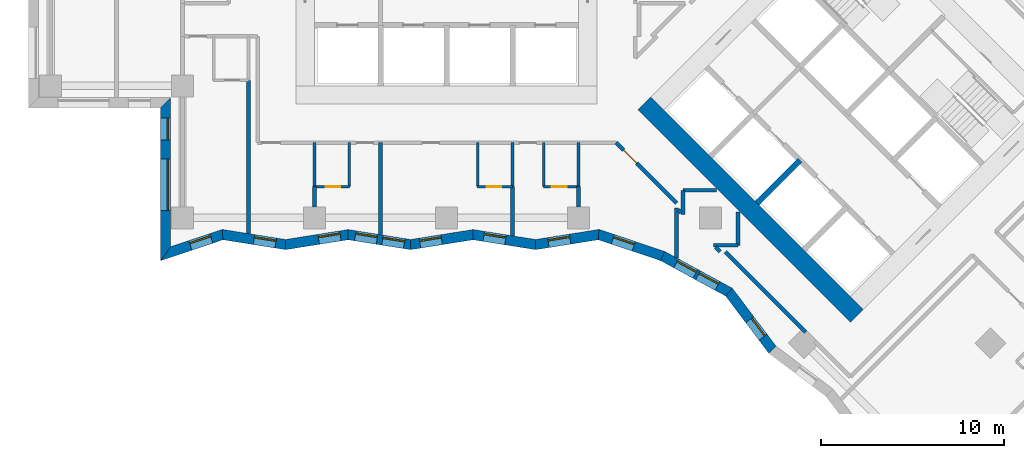
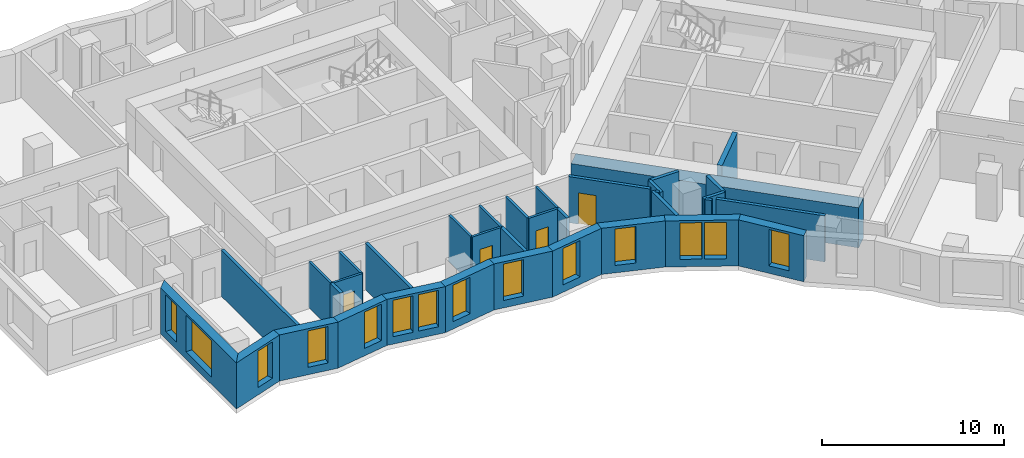
# One storey, part 2 of 12: 36 walls, 14 windows, 4 doors, 18 openings.
"""IFC4 building model written with IfcOpenShell, lengths in metres."""

from ifc_helpers import new_model, si_unit, direction, frame, frame_2d, origin, place, context, subcontext, project, spatial, polyline, rectangle, outline, extrude, material, layer, layer_set, type_object, element, fill, save


model = new_model("IFC4")

# Units and contexts
model_context = context("Model", 3, precision=1e-05, world=origin(), true_north=direction((0.0, 1.0)))
body_context = subcontext(model_context, "Body", "Model", "MODEL_VIEW")
ifc_project = project(units=[si_unit("LENGTHUNIT", "METRE"), si_unit("AREAUNIT", "SQUARE_METRE"), si_unit("VOLUMEUNIT", "CUBIC_METRE"), si_unit("PLANEANGLEUNIT", "RADIAN"), si_unit("MASSUNIT", "GRAM", prefix="KILO")], contexts=[model_context])

# Site, building, storey
site_placement = place(None, origin())
site = spatial("IfcSite", under=ifc_project, at=site_placement, CompositionType="ELEMENT")
building_placement = place(site_placement, origin())
building = spatial("IfcBuilding", under=site, at=building_placement, Name="Windrow Commons", CompositionType="ELEMENT")
storey_placement = place(building_placement, frame((0.0, 0.0, 54.2)))
storey = spatial("IfcBuildingStorey", under=building, at=storey_placement, Name="L14", CompositionType="ELEMENT", Elevation=54.2)

# Wall, openings, windows
ifc_material_1 = material(Name="Brick masonry, red clay brick", Category="masonry")
ifc_layer_1 = layer(ifc_material_1, 0.55)
ifc_layer_set_1 = layer_set([ifc_layer_1], Name="Brick facade wall 550")
wall_type_1 = type_object("IfcWallType", Name="Brick facade wall 550", PredefinedType="SOLIDWALL", material=ifc_layer_set_1)
wall_1_placement = place(storey_placement, frame((49.475, 49.475, 0.0), z_axis=(0.0, 0.0, 1.0), x_axis=(0.0, -1.0, 0.0)))
wall_1 = element("IfcWall", 1, at=wall_1_placement, inside=storey, type_object=wall_type_1, Name="Brick facade wall L14 45", PredefinedType="SOLIDWALL", context=body_context, shape_type="SweptSolid", body=[
    extrude(outline(polyline([(0.275, -0.275), (8.617, -0.275), (7.8528, 0.275), (-0.275, 0.275), (0.275, -0.275)])), origin(), (0.0, 0.0, 1.0), 3.1),
])
opening_1_placement = place(wall_1_placement, frame((3.075, 0.0, 0.5)))
opening_1 = element("IfcOpeningElement", 2, at=opening_1_placement, cuts=wall_1, Name="Opening W1T", PredefinedType="OPENING", context=body_context, shape_type="SweptSolid", body=[
    extrude(rectangle(XDim=2.8, YDim=2.45, at=frame_2d((1.4, 1.225))), frame((0.0, 0.285, 0.0), z_axis=(0.0, -1.0, 0.0), x_axis=(1.0, 0.0, 0.0)), (0.0, 0.0, 1.0), 0.57),
])
opening_2_placement = place(wall_1_placement, frame((0.8375, 0.0, 0.5)))
opening_2 = element("IfcOpeningElement", 3, at=opening_2_placement, cuts=wall_1, Name="Opening W7D", PredefinedType="OPENING", context=body_context, shape_type="SweptSolid", body=[
    extrude(rectangle(XDim=1.2, YDim=2.45, at=frame_2d((0.6, 1.225))), frame((0.0, 0.285, 0.0), z_axis=(0.0, -1.0, 0.0), x_axis=(1.0, 0.0, 0.0)), (0.0, 0.0, 1.0), 0.57),
])
ifc_material_2 = material(Name="Clear float glass in anodised aluminium frame", Category="aluminium")
window_type_1 = type_object("IfcWindowType", Name="Window W1T bedroom 2800x2450", PartitioningType="SINGLE_PANEL", PredefinedType="WINDOW", material=ifc_material_2)
window_1_placement = place(opening_1_placement, origin())
window_1 = element("IfcWindow", 4, at=window_1_placement, inside=storey, type_object=window_type_1, Name="Window L14 45.1", OverallHeight=2.45, OverallWidth=2.8, PartitioningType="SINGLE_PANEL", PredefinedType="WINDOW", context=body_context, shape_type="SweptSolid", body=[
    extrude(rectangle(XDim=2.8, YDim=2.45, at=frame_2d((1.4, 1.225))), frame((0.0, 0.155, 0.0), z_axis=(0.0, -1.0, 0.0), x_axis=(1.0, 0.0, 0.0)), (0.0, 0.0, 1.0), 0.06),
])
fill(opening_1, window_1)
ifc_material_3 = material(Name="Clear float glass in anodised aluminium frame", Category="aluminium")
window_type_2 = type_object("IfcWindowType", Name="Window W7 notch 1200x2450", PartitioningType="SINGLE_PANEL", PredefinedType="WINDOW", material=ifc_material_3)
window_2_placement = place(opening_2_placement, origin())
window_2 = element("IfcWindow", 5, at=window_2_placement, inside=storey, type_object=window_type_2, Name="Window L14 45.2", OverallHeight=2.45, OverallWidth=1.2, PartitioningType="SINGLE_PANEL", PredefinedType="WINDOW", context=body_context, shape_type="SweptSolid", body=[
    extrude(rectangle(XDim=1.2, YDim=2.45, at=frame_2d((0.6, 1.225))), frame((0.0, 0.155, 0.0), z_axis=(0.0, -1.0, 0.0), x_axis=(1.0, 0.0, 0.0)), (0.0, 0.0, 1.0), 0.06),
])
fill(opening_2, window_2)

# Wall, opening, window
wall_2_placement = place(storey_placement, frame((49.475, 41.2401, 0.0), z_axis=(0.0, 0.0, 1.0), x_axis=(0.9482466671, 0.3175346568, 0.0)))
wall_2 = element("IfcWall", 6, at=wall_2_placement, inside=storey, type_object=wall_type_1, Name="Brick facade wall L14 46", PredefinedType="SOLIDWALL", context=body_context, shape_type="SweptSolid", body=[
    extrude(outline(polyline([(-0.3821, -0.275), (3.2144, -0.275), (3.3492, 0.275), (0.3821, 0.275), (-0.3821, -0.275)])), origin(), (0.0, 0.0, 1.0), 3.1),
])
opening_3_placement = place(wall_2_placement, frame((1.4286, 0.0, 0.5)))
opening_3 = element("IfcOpeningElement", 7, at=opening_3_placement, cuts=wall_2, Name="Opening W7D", PredefinedType="OPENING", context=body_context, shape_type="SweptSolid", body=[
    extrude(rectangle(XDim=1.2, YDim=2.45, at=frame_2d((0.6, 1.225))), frame((0.0, 0.285, 0.0), z_axis=(0.0, -1.0, 0.0), x_axis=(1.0, 0.0, 0.0)), (0.0, 0.0, 1.0), 0.57),
])
window_3_placement = place(opening_3_placement, origin())
window_3 = element("IfcWindow", 8, at=window_3_placement, inside=storey, type_object=window_type_2, Name="Window L14 46.1", OverallHeight=2.45, OverallWidth=1.2, PartitioningType="SINGLE_PANEL", PredefinedType="WINDOW", context=body_context, shape_type="SweptSolid", body=[
    extrude(rectangle(XDim=1.2, YDim=2.45, at=frame_2d((0.6, 1.225))), frame((0.0, 0.155, 0.0), z_axis=(0.0, -1.0, 0.0), x_axis=(1.0, 0.0, 0.0)), (0.0, 0.0, 1.0), 0.06),
])
fill(opening_3, window_3)

wall_3_placement = place(storey_placement, frame((52.587, 42.2822, 0.0), z_axis=(0.0, 0.0, 1.0), x_axis=(0.9876057519, -0.1569550219, 0.0)))
wall_3 = element("IfcWall", 9, at=wall_3_placement, inside=storey, type_object=wall_type_1, Name="Brick facade wall L14 47", PredefinedType="SOLIDWALL", context=body_context, shape_type="SweptSolid", body=[
    extrude(outline(polyline([(0.0674, -0.275), (3.5206, -0.275), (3.4332, 0.275), (-0.0674, 0.275), (0.0674, -0.275)])), origin(), (0.0, 0.0, 1.0), 3.1),
])
opening_4_placement = place(wall_3_placement, frame((1.732, 0.0, 0.5)))
opening_4 = element("IfcOpeningElement", 10, at=opening_4_placement, cuts=wall_3, Name="Opening W7D", PredefinedType="OPENING", context=body_context, shape_type="SweptSolid", body=[
    extrude(rectangle(XDim=1.2, YDim=2.45, at=frame_2d((0.6, 1.225))), frame((0.0, 0.285, 0.0), z_axis=(0.0, -1.0, 0.0), x_axis=(1.0, 0.0, 0.0)), (0.0, 0.0, 1.0), 0.57),
])
window_4_placement = place(opening_4_placement, origin())
window_4 = element("IfcWindow", 11, at=window_4_placement, inside=storey, type_object=window_type_2, Name="Window L14 47.1", OverallHeight=2.45, OverallWidth=1.2, PartitioningType="SINGLE_PANEL", PredefinedType="WINDOW", context=body_context, shape_type="SweptSolid", body=[
    extrude(rectangle(XDim=1.2, YDim=2.45, at=frame_2d((0.6, 1.225))), frame((0.0, 0.155, 0.0), z_axis=(0.0, -1.0, 0.0), x_axis=(1.0, 0.0, 0.0)), (0.0, 0.0, 1.0), 0.06),
])
fill(opening_4, window_4)

wall_4_placement = place(storey_placement, frame((56.0207, 41.7365, 0.0), z_axis=(0.0, 0.0, 1.0), x_axis=(0.9876056196, 0.1569558544, 0.0)))
wall_4 = element("IfcWall", 12, at=wall_4_placement, inside=storey, type_object=wall_type_1, Name="Brick facade wall L14 48", PredefinedType="SOLIDWALL", context=body_context, shape_type="SweptSolid", body=[
    extrude(outline(polyline([(-0.0437, -0.275), (3.4095, -0.275), (3.4969, 0.275), (0.0437, 0.275), (-0.0437, -0.275)])), origin(), (0.0, 0.0, 1.0), 3.1),
])
opening_5_placement = place(wall_4_placement, frame((1.8261, 0.0, 0.5)))
opening_5 = element("IfcOpeningElement", 13, at=opening_5_placement, cuts=wall_4, Name="Opening W7D", PredefinedType="OPENING", context=body_context, shape_type="SweptSolid", body=[
    extrude(rectangle(XDim=1.2, YDim=2.45, at=frame_2d((0.6, 1.225))), frame((0.0, 0.285, 0.0), z_axis=(0.0, -1.0, 0.0), x_axis=(1.0, 0.0, 0.0)), (0.0, 0.0, 1.0), 0.57),
])
window_5_placement = place(opening_5_placement, origin())
window_5 = element("IfcWindow", 14, at=window_5_placement, inside=storey, type_object=window_type_2, Name="Window L14 48.1", OverallHeight=2.45, OverallWidth=1.2, PartitioningType="SINGLE_PANEL", PredefinedType="WINDOW", context=body_context, shape_type="SweptSolid", body=[
    extrude(rectangle(XDim=1.2, YDim=2.45, at=frame_2d((0.6, 1.225))), frame((0.0, 0.155, 0.0), z_axis=(0.0, -1.0, 0.0), x_axis=(1.0, 0.0, 0.0)), (0.0, 0.0, 1.0), 0.06),
])
fill(opening_5, window_5)

# Wall, openings, windows
wall_5_placement = place(storey_placement, frame((59.4311, 42.2785, 0.0), z_axis=(0.0, 0.0, 1.0), x_axis=(0.9876049061, -0.1569603434, 0.0)))
wall_5 = element("IfcWall", 15, at=wall_5_placement, inside=storey, type_object=wall_type_1, Name="Brick facade wall L14 49", PredefinedType="SOLIDWALL", context=body_context, shape_type="SweptSolid", body=[
    extrude(outline(polyline([(0.0437, -0.275), (3.4969, -0.275), (3.4095, 0.275), (-0.0437, 0.275), (0.0437, -0.275)])), origin(), (0.0, 0.0, 1.0), 3.1),
])
opening_6_placement = place(wall_5_placement, frame((0.3956, 0.0, 0.5)))
opening_6 = element("IfcOpeningElement", 16, at=opening_6_placement, cuts=wall_5, Name="Opening W7D", PredefinedType="OPENING", context=body_context, shape_type="SweptSolid", body=[
    extrude(rectangle(XDim=1.2, YDim=2.45, at=frame_2d((0.6, 1.225))), frame((0.0, 0.285, 0.0), z_axis=(0.0, -1.0, 0.0), x_axis=(1.0, 0.0, 0.0)), (0.0, 0.0, 1.0), 0.57),
])
opening_7_placement = place(wall_5_placement, frame((1.9003, 0.0, 0.5)))
opening_7 = element("IfcOpeningElement", 17, at=opening_7_placement, cuts=wall_5, Name="Opening W7D", PredefinedType="OPENING", context=body_context, shape_type="SweptSolid", body=[
    extrude(rectangle(XDim=1.2, YDim=2.45, at=frame_2d((0.6, 1.225))), frame((0.0, 0.285, 0.0), z_axis=(0.0, -1.0, 0.0), x_axis=(1.0, 0.0, 0.0)), (0.0, 0.0, 1.0), 0.57),
])
window_6_placement = place(opening_6_placement, origin())
window_6 = element("IfcWindow", 18, at=window_6_placement, inside=storey, type_object=window_type_2, Name="Window L14 49.1", OverallHeight=2.45, OverallWidth=1.2, PartitioningType="SINGLE_PANEL", PredefinedType="WINDOW", context=body_context, shape_type="SweptSolid", body=[
    extrude(rectangle(XDim=1.2, YDim=2.45, at=frame_2d((0.6, 1.225))), frame((0.0, 0.155, 0.0), z_axis=(0.0, -1.0, 0.0), x_axis=(1.0, 0.0, 0.0)), (0.0, 0.0, 1.0), 0.06),
])
fill(opening_6, window_6)
window_7_placement = place(opening_7_placement, origin())
window_7 = element("IfcWindow", 19, at=window_7_placement, inside=storey, type_object=window_type_2, Name="Window L14 49.2", OverallHeight=2.45, OverallWidth=1.2, PartitioningType="SINGLE_PANEL", PredefinedType="WINDOW", context=body_context, shape_type="SweptSolid", body=[
    extrude(rectangle(XDim=1.2, YDim=2.45, at=frame_2d((0.6, 1.225))), frame((0.0, 0.155, 0.0), z_axis=(0.0, -1.0, 0.0), x_axis=(1.0, 0.0, 0.0)), (0.0, 0.0, 1.0), 0.06),
])
fill(opening_7, window_7)

# Wall, opening, window
wall_6_placement = place(storey_placement, frame((62.8414, 41.7365, 0.0), z_axis=(0.0, 0.0, 1.0), x_axis=(0.9876056196, 0.1569558544, 0.0)))
wall_6 = element("IfcWall", 20, at=wall_6_placement, inside=storey, type_object=wall_type_1, Name="Brick facade wall L14 50", PredefinedType="SOLIDWALL", context=body_context, shape_type="SweptSolid", body=[
    extrude(outline(polyline([(-0.0437, -0.275), (3.4095, -0.275), (3.4969, 0.275), (0.0437, 0.275), (-0.0437, -0.275)])), origin(), (0.0, 0.0, 1.0), 3.1),
])
opening_8_placement = place(wall_6_placement, frame((0.5134, 0.0, 0.5)))
opening_8 = element("IfcOpeningElement", 21, at=opening_8_placement, cuts=wall_6, Name="Opening W7D", PredefinedType="OPENING", context=body_context, shape_type="SweptSolid", body=[
    extrude(rectangle(XDim=1.2, YDim=2.45, at=frame_2d((0.6, 1.225))), frame((0.0, 0.285, 0.0), z_axis=(0.0, -1.0, 0.0), x_axis=(1.0, 0.0, 0.0)), (0.0, 0.0, 1.0), 0.57),
])
window_8_placement = place(opening_8_placement, origin())
window_8 = element("IfcWindow", 22, at=window_8_placement, inside=storey, type_object=window_type_2, Name="Window L14 50.1", OverallHeight=2.45, OverallWidth=1.2, PartitioningType="SINGLE_PANEL", PredefinedType="WINDOW", context=body_context, shape_type="SweptSolid", body=[
    extrude(rectangle(XDim=1.2, YDim=2.45, at=frame_2d((0.6, 1.225))), frame((0.0, 0.155, 0.0), z_axis=(0.0, -1.0, 0.0), x_axis=(1.0, 0.0, 0.0)), (0.0, 0.0, 1.0), 0.06),
])
fill(opening_8, window_8)

wall_7_placement = place(storey_placement, frame((66.2518, 42.2785, 0.0), z_axis=(0.0, 0.0, 1.0), x_axis=(0.9876056196, -0.1569558544, 0.0)))
wall_7 = element("IfcWall", 23, at=wall_7_placement, inside=storey, type_object=wall_type_1, Name="Brick facade wall L14 51", PredefinedType="SOLIDWALL", context=body_context, shape_type="SweptSolid", body=[
    extrude(outline(polyline([(0.0437, -0.275), (3.4969, -0.275), (3.4095, 0.275), (-0.0437, 0.275), (0.0437, -0.275)])), origin(), (0.0, 0.0, 1.0), 3.1),
])
opening_9_placement = place(wall_7_placement, frame((0.5876, 0.0, 0.5)))
opening_9 = element("IfcOpeningElement", 24, at=opening_9_placement, cuts=wall_7, Name="Opening W7D", PredefinedType="OPENING", context=body_context, shape_type="SweptSolid", body=[
    extrude(rectangle(XDim=1.2, YDim=2.45, at=frame_2d((0.6, 1.225))), frame((0.0, 0.285, 0.0), z_axis=(0.0, -1.0, 0.0), x_axis=(1.0, 0.0, 0.0)), (0.0, 0.0, 1.0), 0.57),
])
window_9_placement = place(opening_9_placement, origin())
window_9 = element("IfcWindow", 25, at=window_9_placement, inside=storey, type_object=window_type_2, Name="Window L14 51.1", OverallHeight=2.45, OverallWidth=1.2, PartitioningType="SINGLE_PANEL", PredefinedType="WINDOW", context=body_context, shape_type="SweptSolid", body=[
    extrude(rectangle(XDim=1.2, YDim=2.45, at=frame_2d((0.6, 1.225))), frame((0.0, 0.155, 0.0), z_axis=(0.0, -1.0, 0.0), x_axis=(1.0, 0.0, 0.0)), (0.0, 0.0, 1.0), 0.06),
])
fill(opening_9, window_9)

wall_8_placement = place(storey_placement, frame((69.6622, 41.7365, 0.0), z_axis=(0.0, 0.0, 1.0), x_axis=(0.9876057519, 0.1569550219, 0.0)))
wall_8 = element("IfcWall", 26, at=wall_8_placement, inside=storey, type_object=wall_type_1, Name="Brick facade wall L14 52", PredefinedType="SOLIDWALL", context=body_context, shape_type="SweptSolid", body=[
    extrude(outline(polyline([(-0.0437, -0.275), (3.4095, -0.275), (3.5443, 0.275), (0.0437, 0.275), (-0.0437, -0.275)])), origin(), (0.0, 0.0, 1.0), 3.1),
])
opening_10_placement = place(wall_8_placement, frame((0.7054, 0.0, 0.5)))
opening_10 = element("IfcOpeningElement", 27, at=opening_10_placement, cuts=wall_8, Name="Opening W7D", PredefinedType="OPENING", context=body_context, shape_type="SweptSolid", body=[
    extrude(rectangle(XDim=1.2, YDim=2.45, at=frame_2d((0.6, 1.225))), frame((0.0, 0.285, 0.0), z_axis=(0.0, -1.0, 0.0), x_axis=(1.0, 0.0, 0.0)), (0.0, 0.0, 1.0), 0.57),
])
window_10_placement = place(opening_10_placement, origin())
window_10 = element("IfcWindow", 28, at=window_10_placement, inside=storey, type_object=window_type_2, Name="Window L14 52.1", OverallHeight=2.45, OverallWidth=1.2, PartitioningType="SINGLE_PANEL", PredefinedType="WINDOW", context=body_context, shape_type="SweptSolid", body=[
    extrude(rectangle(XDim=1.2, YDim=2.45, at=frame_2d((0.6, 1.225))), frame((0.0, 0.155, 0.0), z_axis=(0.0, -1.0, 0.0), x_axis=(1.0, 0.0, 0.0)), (0.0, 0.0, 1.0), 0.06),
])
fill(opening_10, window_10)

wall_9_placement = place(storey_placement, frame((73.0959, 42.2822, 0.0), z_axis=(0.0, 0.0, 1.0), x_axis=(0.9482458518, -0.3175370917, 0.0)))
wall_9 = element("IfcWall", 29, at=wall_9_placement, inside=storey, type_object=wall_type_1, Name="Brick facade wall L14 53", PredefinedType="SOLIDWALL", context=body_context, shape_type="SweptSolid", body=[
    extrude(outline(polyline([(0.0674, -0.275), (3.6639, -0.275), (3.7122, 0.275), (-0.0674, 0.275), (0.0674, -0.275)])), origin(), (0.0, 0.0, 1.0), 3.1),
])
opening_11_placement = place(wall_9_placement, frame((0.8204, 0.0, 0.5)))
opening_11 = element("IfcOpeningElement", 30, at=opening_11_placement, cuts=wall_9, Name="Opening W7D", PredefinedType="OPENING", context=body_context, shape_type="SweptSolid", body=[
    extrude(rectangle(XDim=1.2, YDim=2.45, at=frame_2d((0.6, 1.225))), frame((0.0, 0.285, 0.0), z_axis=(0.0, -1.0, 0.0), x_axis=(1.0, 0.0, 0.0)), (0.0, 0.0, 1.0), 0.57),
])
window_11_placement = place(opening_11_placement, origin())
window_11 = element("IfcWindow", 31, at=window_11_placement, inside=storey, type_object=window_type_2, Name="Window L14 53.1", OverallHeight=2.45, OverallWidth=1.2, PartitioningType="SINGLE_PANEL", PredefinedType="WINDOW", context=body_context, shape_type="SweptSolid", body=[
    extrude(rectangle(XDim=1.2, YDim=2.45, at=frame_2d((0.6, 1.225))), frame((0.0, 0.155, 0.0), z_axis=(0.0, -1.0, 0.0), x_axis=(1.0, 0.0, 0.0)), (0.0, 0.0, 1.0), 0.06),
])
fill(opening_11, window_11)

# Wall, openings, windows
wall_10_placement = place(storey_placement, frame((76.5931, 41.1111, 0.0), z_axis=(0.0, 0.0, 1.0), x_axis=(0.8783220539, -0.4780694193, 0.0)))
wall_10 = element("IfcWall", 32, at=wall_10_placement, inside=storey, type_object=wall_type_1, Name="Brick facade wall L14 54", PredefinedType="SOLIDWALL", context=body_context, shape_type="SweptSolid", body=[
    extrude(outline(polyline([(0.0242, -0.275), (4.0592, -0.275), (4.1782, 0.275), (-0.0242, 0.275), (0.0242, -0.275)])), origin(), (0.0, 0.0, 1.0), 3.1),
])
opening_12_placement = place(wall_10_placement, frame((0.8349, 0.0, 0.5)))
opening_12 = element("IfcOpeningElement", 33, at=opening_12_placement, cuts=wall_10, Name="Opening W7D", PredefinedType="OPENING", context=body_context, shape_type="SweptSolid", body=[
    extrude(rectangle(XDim=1.2, YDim=2.45, at=frame_2d((0.6, 1.225))), frame((0.0, 0.285, 0.0), z_axis=(0.0, -1.0, 0.0), x_axis=(1.0, 0.0, 0.0)), (0.0, 0.0, 1.0), 0.57),
])
opening_13_placement = place(wall_10_placement, frame((2.1943, 0.0, 0.5)))
opening_13 = element("IfcOpeningElement", 34, at=opening_13_placement, cuts=wall_10, Name="Opening W7D", PredefinedType="OPENING", context=body_context, shape_type="SweptSolid", body=[
    extrude(rectangle(XDim=1.2, YDim=2.45, at=frame_2d((0.6, 1.225))), frame((0.0, 0.285, 0.0), z_axis=(0.0, -1.0, 0.0), x_axis=(1.0, 0.0, 0.0)), (0.0, 0.0, 1.0), 0.57),
])
window_12_placement = place(opening_12_placement, origin())
window_12 = element("IfcWindow", 35, at=window_12_placement, inside=storey, type_object=window_type_2, Name="Window L14 54.1", OverallHeight=2.45, OverallWidth=1.2, PartitioningType="SINGLE_PANEL", PredefinedType="WINDOW", context=body_context, shape_type="SweptSolid", body=[
    extrude(rectangle(XDim=1.2, YDim=2.45, at=frame_2d((0.6, 1.225))), frame((0.0, 0.155, 0.0), z_axis=(0.0, -1.0, 0.0), x_axis=(1.0, 0.0, 0.0)), (0.0, 0.0, 1.0), 0.06),
])
fill(opening_12, window_12)
window_13_placement = place(opening_13_placement, origin())
window_13 = element("IfcWindow", 36, at=window_13_placement, inside=storey, type_object=window_type_2, Name="Window L14 54.2", OverallHeight=2.45, OverallWidth=1.2, PartitioningType="SINGLE_PANEL", PredefinedType="WINDOW", context=body_context, shape_type="SweptSolid", body=[
    extrude(rectangle(XDim=1.2, YDim=2.45, at=frame_2d((0.6, 1.225))), frame((0.0, 0.155, 0.0), z_axis=(0.0, -1.0, 0.0), x_axis=(1.0, 0.0, 0.0)), (0.0, 0.0, 1.0), 0.06),
])
fill(opening_13, window_13)

# Wall, opening, window
wall_11_placement = place(storey_placement, frame((80.2106, 39.1421, 0.0), z_axis=(0.0, 0.0, 1.0), x_axis=(0.6022049527, -0.7983415278, 0.0)))
wall_11 = element("IfcWall", 37, at=wall_11_placement, inside=storey, type_object=wall_type_1, Name="Brick facade wall L14 55", PredefinedType="SOLIDWALL", context=body_context, shape_type="SweptSolid", body=[
    extrude(outline(polyline([(0.0595, -0.275), (3.9673, -0.275), (3.8903, 0.275), (-0.0595, 0.275), (0.0595, -0.275)])), origin(), (0.0, 0.0, 1.0), 3.1),
])
opening_14_placement = place(wall_11_placement, frame((1.8769, 0.0, 0.5)))
opening_14 = element("IfcOpeningElement", 38, at=opening_14_placement, cuts=wall_11, Name="Opening W7D", PredefinedType="OPENING", context=body_context, shape_type="SweptSolid", body=[
    extrude(rectangle(XDim=1.2, YDim=2.45, at=frame_2d((0.6, 1.225))), frame((0.0, 0.285, 0.0), z_axis=(0.0, -1.0, 0.0), x_axis=(1.0, 0.0, 0.0)), (0.0, 0.0, 1.0), 0.57),
])
window_14_placement = place(opening_14_placement, origin())
window_14 = element("IfcWindow", 39, at=window_14_placement, inside=storey, type_object=window_type_2, Name="Window L14 55.1", OverallHeight=2.45, OverallWidth=1.2, PartitioningType="SINGLE_PANEL", PredefinedType="WINDOW", context=body_context, shape_type="SweptSolid", body=[
    extrude(rectangle(XDim=1.2, YDim=2.45, at=frame_2d((0.6, 1.225))), frame((0.0, 0.155, 0.0), z_axis=(0.0, -1.0, 0.0), x_axis=(1.0, 0.0, 0.0)), (0.0, 0.0, 1.0), 0.06),
])
fill(opening_14, window_14)

# Wall
ifc_material_4 = material(Name="Blockwork partition", Category="masonry")
ifc_layer_2 = layer(ifc_material_4, 0.2)
ifc_layer_set_2 = layer_set([ifc_layer_2], Name="IW-CORRIDOR-200")
wall_type_2 = type_object("IfcWallType", Name="IW-CORRIDOR-200", PredefinedType="PARTITIONING", material=ifc_layer_set_2)
wall_12_placement = place(storey_placement, frame((80.0068, 41.3468, 0.0), z_axis=(0.0, 0.0, 1.0), x_axis=(0.7071067812, -0.7071067812, 0.0)))
element("IfcWall", 40, at=wall_12_placement, inside=storey, type_object=wall_type_2, Name="W-L14-W025", PredefinedType="PARTITIONING", context=body_context, shape_type="SweptSolid", body=[
    extrude(rectangle(XDim=6.2056, YDim=0.2, at=frame_2d((3.1028, 0.0))), origin(), (0.0, 0.0, 1.0), 3.1),
])

# Wall, opening, door
wall_13_placement = place(storey_placement, frame((74.0568, 47.2968, 0.0), z_axis=(0.0, 0.0, 1.0), x_axis=(0.7071067812, -0.7071067812, 0.0)))
wall_13 = element("IfcWall", 41, at=wall_13_placement, inside=storey, type_object=wall_type_2, Name="W-L14-W042", PredefinedType="PARTITIONING", context=body_context, shape_type="SweptSolid", body=[
    extrude(rectangle(XDim=4.6528, YDim=0.2, at=frame_2d((2.3264, 0.0))), origin(), (0.0, 0.0, 1.0), 3.1),
])
opening_15_placement = place(wall_13_placement, frame((0.5704, 0.0, 0.0)))
opening_15 = element("IfcOpeningElement", 42, at=opening_15_placement, cuts=wall_13, Name="Opening D310F", PredefinedType="OPENING", context=body_context, shape_type="SweptSolid", body=[
    extrude(rectangle(XDim=1.0, YDim=2.1, at=frame_2d((0.5, 1.05))), frame((0.0, 0.11, 0.0), z_axis=(0.0, -1.0, 0.0), x_axis=(1.0, 0.0, 0.0)), (0.0, 0.0, 1.0), 0.22),
])
ifc_material_5 = material(Name="Timber door leaf", Category="wood")
door_type_1 = type_object("IfcDoorType", Name="DT-AMENITY-1000", OperationType="SINGLE_SWING_LEFT", PredefinedType="DOOR", material=ifc_material_5)
door_1_placement = place(opening_15_placement, origin())
door_1 = element("IfcDoor", 43, at=door_1_placement, inside=storey, type_object=door_type_1, Name="D-L14-D031", OperationType="SINGLE_SWING_LEFT", OverallHeight=2.1, OverallWidth=1.0, PredefinedType="DOOR", context=body_context, shape_type="SweptSolid", body=[
    extrude(rectangle(XDim=1.0, YDim=2.1, at=frame_2d((0.5, 1.05))), frame((0.0, 0.025, 0.0), z_axis=(0.0, -1.0, 0.0), x_axis=(1.0, 0.0, 0.0)), (0.0, 0.0, 1.0), 0.05),
])
fill(opening_15, door_1)

# Walls
for number, where, z_axis, x_axis, name in (
    (44, (77.702, 44.7, 0.0), (0.0, 0.0, 1.0), (1.0, 0.0, 0.0), "W-L14-W125"),
    (45, (80.7, 41.702, 0.0), (0.0, 0.0, 1.0), (0.0, 1.0, 0.0), "W-L14-W126"),
):
    element("IfcWall", number, at=place(storey_placement, frame(where, z_axis=z_axis, x_axis=x_axis)), inside=storey, type_object=wall_type_2, Name=name, PredefinedType="PARTITIONING", context=body_context, shape_type="SweptSolid", body=[
        extrude(rectangle(XDim=1.814, YDim=0.2, at=frame_2d((0.907, 0.0))), origin(), (0.0, 0.0, 1.0), 3.1),
    ])
for number, where, z_axis, x_axis, name in (
    (46, (77.7, 43.378, 0.0), (0.0, 0.0, 1.0), (0.0, 1.0, 0.0), "W-L14-W139"),
    (47, (79.378, 41.7, 0.0), (0.0, 0.0, 1.0), (1.0, 0.0, 0.0), "W-L14-W140"),
):
    element("IfcWall", number, at=place(storey_placement, frame(where, z_axis=z_axis, x_axis=x_axis)), inside=storey, type_object=wall_type_2, Name=name, PredefinedType="PARTITIONING", context=body_context, shape_type="SweptSolid", body=[
        extrude(rectangle(XDim=1.322, YDim=0.2, at=frame_2d((0.661, 0.0))), origin(), (0.0, 0.0, 1.0), 3.1),
    ])
wall_14_placement = place(storey_placement, frame((77.4454, 43.6396, 0.0), z_axis=(0.0, 0.0, 1.0), x_axis=(0.7071067812, -0.7071067812, 0.0)))
element("IfcWall", 48, at=wall_14_placement, inside=storey, type_object=wall_type_2, Name="W-L14-W157", PredefinedType="PARTITIONING", context=body_context, shape_type="SweptSolid", body=[
    extrude(rectangle(XDim=0.225, YDim=0.2, at=frame_2d((0.1125, 0.0))), origin(), (0.0, 0.0, 1.0), 3.1),
])
wall_15_placement = place(storey_placement, frame((79.4805, 41.6045, 0.0), z_axis=(0.0, 0.0, 1.0), x_axis=(0.7071067812, -0.7071067812, 0.0)))
element("IfcWall", 49, at=wall_15_placement, inside=storey, type_object=wall_type_2, Name="W-L14-W158", PredefinedType="PARTITIONING", context=body_context, shape_type="SweptSolid", body=[
    extrude(rectangle(XDim=0.355, YDim=0.2, at=frame_2d((0.1775, 0.0))), origin(), (0.0, 0.0, 1.0), 3.1),
])
ifc_material_6 = material(Name="Blockwork partition", Category="masonry")
ifc_layer_3 = layer(ifc_material_6, 0.15)
ifc_layer_set_3 = layer_set([ifc_layer_3], Name="IW-ENSUITE-150")
wall_type_3 = type_object("IfcWallType", Name="IW-ENSUITE-150", PredefinedType="PARTITIONING", material=ifc_layer_set_3)
for number, where, z_axis, x_axis, name in (
    (50, (59.5, 44.9, 0.0), (0.0, 0.0, 1.0), (0.0, 1.0, 0.0), "W-L14-W074"),
    (51, (57.6, 44.9, 0.0), (0.0, 0.0, 1.0), (0.0, 1.0, 0.0), "W-L14-W075"),
    (52, (66.5, 44.9, 0.0), (0.0, 0.0, 1.0), (0.0, 1.0, 0.0), "W-L14-W076"),
    (53, (68.4, 44.9, 0.0), (0.0, 0.0, 1.0), (0.0, 1.0, 0.0), "W-L14-W077"),
    (54, (70.1, 44.9, 0.0), (0.0, 0.0, 1.0), (0.0, 1.0, 0.0), "W-L14-W078"),
    (55, (72.0, 44.9, 0.0), (0.0, 0.0, 1.0), (0.0, 1.0, 0.0), "W-L14-W079"),
):
    element("IfcWall", number, at=place(storey_placement, frame(where, z_axis=z_axis, x_axis=x_axis)), inside=storey, type_object=wall_type_3, Name=name, PredefinedType="PARTITIONING", context=body_context, shape_type="SweptSolid", body=[
        extrude(rectangle(XDim=2.4, YDim=0.15, at=frame_2d((1.2, 0.0))), origin(), (0.0, 0.0, 1.0), 3.1),
    ])

# Wall, opening, door
wall_16_placement = place(storey_placement, frame((66.5, 44.9, 0.0), z_axis=(0.0, 0.0, 1.0), x_axis=(1.0, 0.0, 0.0)))
wall_16 = element("IfcWall", 56, at=wall_16_placement, inside=storey, type_object=wall_type_3, Name="W-L14-W109", PredefinedType="PARTITIONING", context=body_context, shape_type="SweptSolid", body=[
    extrude(rectangle(XDim=1.9, YDim=0.15, at=frame_2d((0.95, 0.0))), origin(), (0.0, 0.0, 1.0), 3.1),
])
opening_16_placement = place(wall_16_placement, frame((0.4931, 0.0, 0.0)))
opening_16 = element("IfcOpeningElement", 57, at=opening_16_placement, cuts=wall_16, Name="Opening D208N", PredefinedType="OPENING", context=body_context, shape_type="SweptSolid", body=[
    extrude(rectangle(XDim=0.8, YDim=2.1, at=frame_2d((0.4, 1.05))), frame((0.0, 0.085, 0.0), z_axis=(0.0, -1.0, 0.0), x_axis=(1.0, 0.0, 0.0)), (0.0, 0.0, 1.0), 0.17),
])
ifc_material_7 = material(Name="Timber door leaf", Category="wood")
door_type_2 = type_object("IfcDoorType", Name="DT-ENSUITE-800", OperationType="SINGLE_SWING_LEFT", PredefinedType="DOOR", material=ifc_material_7)
door_2_placement = place(opening_16_placement, origin())
door_2 = element("IfcDoor", 58, at=door_2_placement, inside=storey, type_object=door_type_2, Name="D-L14-D028", OperationType="SINGLE_SWING_RIGHT", OverallHeight=2.1, OverallWidth=0.8, PredefinedType="DOOR", context=body_context, shape_type="SweptSolid", body=[
    extrude(rectangle(XDim=0.8, YDim=2.1, at=frame_2d((0.4, 1.05))), frame((0.0, 0.025, 0.0), z_axis=(0.0, -1.0, 0.0), x_axis=(1.0, 0.0, 0.0)), (0.0, 0.0, 1.0), 0.05),
])
fill(opening_16, door_2)

wall_17_placement = place(storey_placement, frame((70.1, 44.9, 0.0), z_axis=(0.0, 0.0, 1.0), x_axis=(1.0, 0.0, 0.0)))
wall_17 = element("IfcWall", 59, at=wall_17_placement, inside=storey, type_object=wall_type_3, Name="W-L14-W110", PredefinedType="PARTITIONING", context=body_context, shape_type="SweptSolid", body=[
    extrude(rectangle(XDim=1.9, YDim=0.15, at=frame_2d((0.95, 0.0))), origin(), (0.0, 0.0, 1.0), 3.1),
])
opening_17_placement = place(wall_17_placement, frame((0.4476, 0.0, 0.0)))
opening_17 = element("IfcOpeningElement", 60, at=opening_17_placement, cuts=wall_17, Name="Opening D208N", PredefinedType="OPENING", context=body_context, shape_type="SweptSolid", body=[
    extrude(rectangle(XDim=0.8, YDim=2.1, at=frame_2d((0.4, 1.05))), frame((0.0, 0.085, 0.0), z_axis=(0.0, -1.0, 0.0), x_axis=(1.0, 0.0, 0.0)), (0.0, 0.0, 1.0), 0.17),
])
door_3_placement = place(opening_17_placement, origin())
door_3 = element("IfcDoor", 61, at=door_3_placement, inside=storey, type_object=door_type_2, Name="D-L14-D030", OperationType="SINGLE_SWING_RIGHT", OverallHeight=2.1, OverallWidth=0.8, PredefinedType="DOOR", context=body_context, shape_type="SweptSolid", body=[
    extrude(rectangle(XDim=0.8, YDim=2.1, at=frame_2d((0.4, 1.05))), frame((0.0, 0.025, 0.0), z_axis=(0.0, -1.0, 0.0), x_axis=(1.0, 0.0, 0.0)), (0.0, 0.0, 1.0), 0.05),
])
fill(opening_17, door_3)

wall_18_placement = place(storey_placement, frame((57.6, 44.9, 0.0), z_axis=(0.0, 0.0, 1.0), x_axis=(1.0, 0.0, 0.0)))
wall_18 = element("IfcWall", 62, at=wall_18_placement, inside=storey, type_object=wall_type_3, Name="W-L14-W114", PredefinedType="PARTITIONING", context=body_context, shape_type="SweptSolid", body=[
    extrude(rectangle(XDim=1.9, YDim=0.15, at=frame_2d((0.95, 0.0))), origin(), (0.0, 0.0, 1.0), 3.1),
])
opening_18_placement = place(wall_18_placement, frame((0.6069, 0.0, 0.0)))
opening_18 = element("IfcOpeningElement", 63, at=opening_18_placement, cuts=wall_18, Name="Opening D208N", PredefinedType="OPENING", context=body_context, shape_type="SweptSolid", body=[
    extrude(rectangle(XDim=0.8, YDim=2.1, at=frame_2d((0.4, 1.05))), frame((0.0, 0.085, 0.0), z_axis=(0.0, -1.0, 0.0), x_axis=(1.0, 0.0, 0.0)), (0.0, 0.0, 1.0), 0.17),
])
door_4_placement = place(opening_18_placement, origin())
door_4 = element("IfcDoor", 64, at=door_4_placement, inside=storey, type_object=door_type_2, Name="D-L14-D026", OperationType="SINGLE_SWING_RIGHT", OverallHeight=2.1, OverallWidth=0.8, PredefinedType="DOOR", context=body_context, shape_type="SweptSolid", body=[
    extrude(rectangle(XDim=0.8, YDim=2.1, at=frame_2d((0.4, 1.05))), frame((0.0, 0.025, 0.0), z_axis=(0.0, -1.0, 0.0), x_axis=(1.0, 0.0, 0.0)), (0.0, 0.0, 1.0), 0.05),
])
fill(opening_18, door_4)

# Walls
ifc_material_8 = material(Name="Blockwork partition", Category="masonry")
ifc_layer_4 = layer(ifc_material_8, 0.2)
ifc_layer_set_4 = layer_set([ifc_layer_4], Name="IW-PARTY-200")
wall_type_4 = type_object("IfcWallType", Name="IW-PARTY-200", PredefinedType="PARTITIONING", material=ifc_layer_set_4)
wall_19_placement = place(storey_placement, frame((54.0, 42.3361, 0.0), z_axis=(0.0, 0.0, 1.0), x_axis=(0.0, 1.0, 0.0)))
element("IfcWall", 65, at=wall_19_placement, inside=storey, type_object=wall_type_4, Name="W-L14-W016", PredefinedType="PARTITIONING", context=body_context, shape_type="SweptSolid", body=[
    extrude(rectangle(XDim=8.3639, YDim=0.2, at=frame_2d((4.1819, 0.0))), origin(), (0.0, 0.0, 1.0), 3.1),
])
wall_20_placement = place(storey_placement, frame((61.2, 42.2758, 0.0), z_axis=(0.0, 0.0, 1.0), x_axis=(0.0, 1.0, 0.0)))
element("IfcWall", 66, at=wall_20_placement, inside=storey, type_object=wall_type_4, Name="W-L14-W040", PredefinedType="PARTITIONING", context=body_context, shape_type="SweptSolid", body=[
    extrude(rectangle(XDim=5.0242, YDim=0.2, at=frame_2d((2.5121, 0.0))), origin(), (0.0, 0.0, 1.0), 3.1),
])
wall_21_placement = place(storey_placement, frame((77.35, 41.0122, 0.0), z_axis=(0.0, 0.0, 1.0), x_axis=(0.0, 1.0, 0.0)))
element("IfcWall", 67, at=wall_21_placement, inside=storey, type_object=wall_type_4, Name="W-L14-W060", PredefinedType="PARTITIONING", context=body_context, shape_type="SweptSolid", body=[
    extrude(rectangle(XDim=2.7158, YDim=0.2, at=frame_2d((1.3579, 0.0))), origin(), (0.0, 0.0, 1.0), 3.1),
])
wall_22_placement = place(storey_placement, frame((68.4, 42.2155, 0.0), z_axis=(0.0, 0.0, 1.0), x_axis=(0.0, 1.0, 0.0)))
element("IfcWall", 68, at=wall_22_placement, inside=storey, type_object=wall_type_4, Name="W-L14-W061", PredefinedType="PARTITIONING", context=body_context, shape_type="SweptSolid", body=[
    extrude(rectangle(XDim=2.6845, YDim=0.2, at=frame_2d((1.3422, 0.0))), origin(), (0.0, 0.0, 1.0), 3.1),
])
for number, where, z_axis, x_axis, name in (
    (69, (57.6, 43.8, 0.0), (0.0, 0.0, 1.0), (0.0, 1.0, 0.0), "W-L14-W148"),
    (70, (72.0, 43.8, 0.0), (0.0, 0.0, 1.0), (0.0, 1.0, 0.0), "W-L14-W149"),
):
    element("IfcWall", number, at=place(storey_placement, frame(where, z_axis=z_axis, x_axis=x_axis)), inside=storey, type_object=wall_type_4, Name=name, PredefinedType="PARTITIONING", context=body_context, shape_type="SweptSolid", body=[
        extrude(rectangle(XDim=1.1, YDim=0.2, at=frame_2d((0.55, 0.0))), origin(), (0.0, 0.0, 1.0), 3.1),
    ])
ifc_material_9 = material(Name="Concrete C60/75", Category="concrete")
ifc_layer_5 = layer(ifc_material_9, 1.0)
ifc_layer_set_5 = layer_set([ifc_layer_5], Name="RC CORE WALL 1000 C60/75")
wall_type_5 = type_object("IfcWallType", Name="RC CORE WALL 1000 C60/75", PredefinedType="SHEAR", material=ifc_layer_set_5)
wall_23_placement = place(storey_placement, frame((75.5938, 49.4433, -0.3), z_axis=(0.0, 0.0, 1.0), x_axis=(0.7071037324, -0.70710983, 0.0)))
element("IfcWall", 71, at=wall_23_placement, inside=storey, type_object=wall_type_5, Name="Core B wall outer-S", PredefinedType="SHEAR", context=body_context, shape_type="SweptSolid", body=[
    extrude(rectangle(XDim=16.4, YDim=1.0, at=frame_2d((8.2, 0.0))), origin(), (0.0, 0.0, 1.0), 2.7),
])
ifc_material_10 = material(Name="Concrete C60/75", Category="concrete")
ifc_layer_6 = layer(ifc_material_10, 0.3)
ifc_layer_set_6 = layer_set([ifc_layer_6], Name="RC SHAFT WALL 300 C60/75")
wall_type_6 = type_object("IfcWallType", Name="RC SHAFT WALL 300 C60/75", PredefinedType="SOLIDWALL", material=ifc_layer_set_6)
wall_24_placement = place(storey_placement, frame((81.7456, 43.9986, 0.0), z_axis=(0.0, 0.0, 1.0), x_axis=(0.7071067812, 0.7071067812, 0.0)))
element("IfcWall", 72, at=wall_24_placement, inside=storey, type_object=wall_type_6, Name="Core B wall shaft-S2", PredefinedType="SOLIDWALL", context=body_context, shape_type="SweptSolid", body=[
    extrude(rectangle(XDim=3.2999, YDim=0.3, at=frame_2d((1.65, 0.0))), origin(), (0.0, 0.0, 1.0), 3.1),
])

save(model, "model.ifc")
